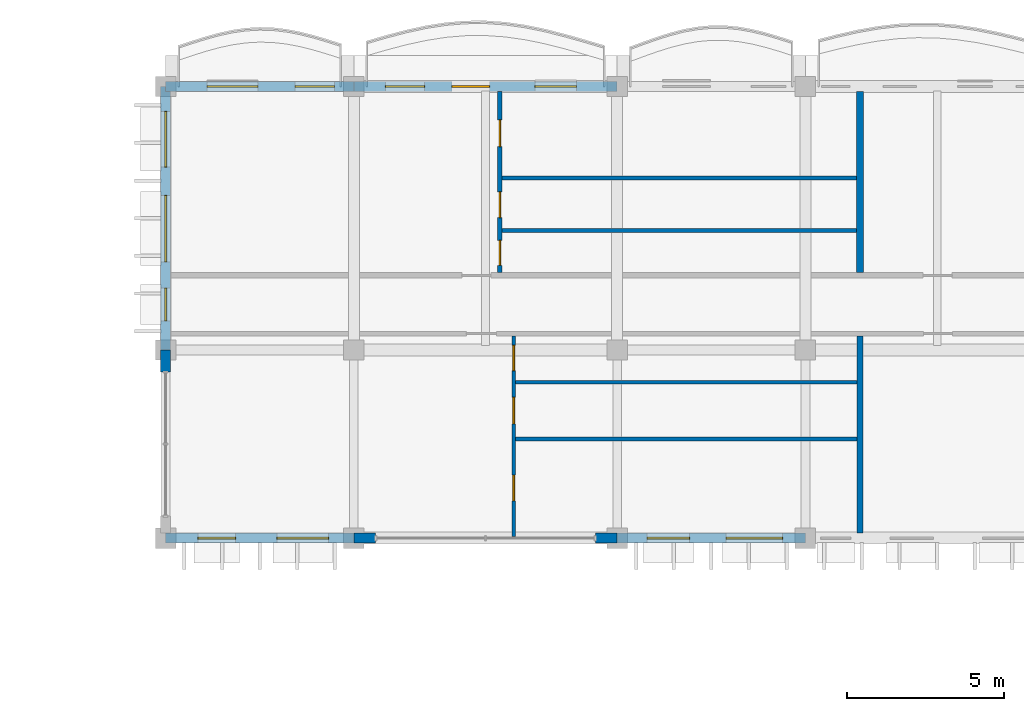
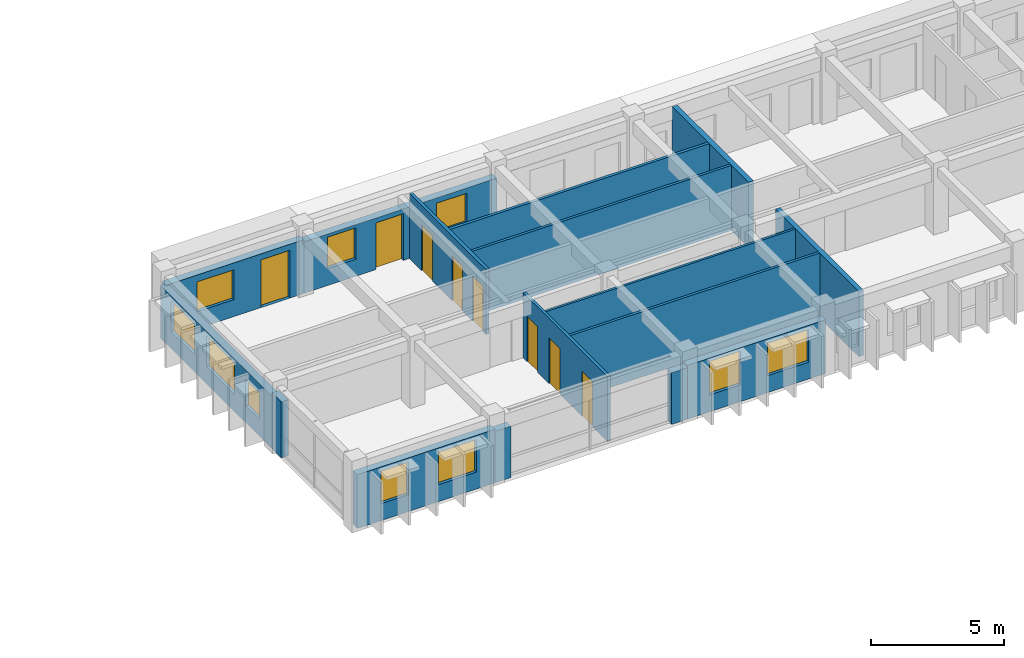
# One storey, part 35 of 76: 16 walls, 10 windows, 8 doors, 18 openings.
"""IFC4 building model written with IfcOpenShell, lengths in metres."""

from ifc_helpers import new_model, si_unit, direction, frame, frame_2d, origin, place, context, subcontext, project, spatial, rectangle, extrude, material, layer, layer_set, type_object, element, fill, save


model = new_model("IFC4")

# Units and contexts
model_context = context("Model", 3, precision=1e-05, world=origin(), true_north=direction((0.0, 1.0)))
body_context = subcontext(model_context, "Body", "Model", "MODEL_VIEW")
ifc_project = project(units=[si_unit("LENGTHUNIT", "METRE"), si_unit("AREAUNIT", "SQUARE_METRE"), si_unit("VOLUMEUNIT", "CUBIC_METRE"), si_unit("PLANEANGLEUNIT", "RADIAN"), si_unit("MASSUNIT", "GRAM", prefix="KILO"), si_unit("THERMODYNAMICTEMPERATUREUNIT", "KELVIN")], contexts=[model_context])

# Site, building, storey
site_placement = place(None, origin())
site = spatial("IfcSite", under=ifc_project, at=site_placement, CompositionType="ELEMENT")
building_placement = place(site_placement, origin())
building = spatial("IfcBuilding", under=site, at=building_placement, Name="Thalorik Housing Commons", CompositionType="ELEMENT")
storey_placement = place(building_placement, frame((0.0, 0.0, 18.0)))
storey = spatial("IfcBuildingStorey", under=building, at=storey_placement, Name="L05", CompositionType="ELEMENT", Elevation=18.0)

# Wall, openings, door, windows
ifc_material_1 = material(Name="White precast concrete C40/50", Category="concrete")
ifc_layer_1 = layer(ifc_material_1, 0.320068359375, Name="White precast concrete C40/50", Category="concrete")
ifc_layer_set_1 = layer_set([ifc_layer_1], Name="White precast concrete C40/50")
wall_type_1 = type_object("IfcWallType", Name="ARC-WAL-EXT-320", PredefinedType="STANDARD", material=ifc_layer_set_1)
wall_1_placement = place(storey_placement, frame((94.800048828125, 123.60009765625, 0.0), z_axis=(0.0, 0.0, 1.0), x_axis=(-1.0, 0.0, 0.0)))
wall_1 = element("IfcWall", 1, at=wall_1_placement, inside=storey, type_object=wall_type_1, Name="L05 Exterior Wall WAL-EXT-L05-B-0572", PredefinedType="STANDARD", context=body_context, shape_type="SweptSolid", body=[
    extrude(rectangle(XDim=8.400146484375, YDim=0.320068359375, at=frame_2d((4.2001953125, 0.0))), origin(), (0.0, 0.0, 1.0), 2.375),
])
opening_1_placement = place(wall_1_placement, frame((4.071533203125, 0.0, 0.0)))
opening_1 = element("IfcOpeningElement", 2, at=opening_1_placement, cuts=wall_1, Name="Opening ED-0185", PredefinedType="OPENING", context=body_context, shape_type="SweptSolid", body=[
    extrude(rectangle(XDim=1.199951171875, YDim=2.14990234375, at=frame_2d((0.60009765625, 1.074951171875))), frame((0.0, 0.169921875, 0.0), z_axis=(0.0, -1.0, 0.0), x_axis=(1.0, 0.0, 0.0)), (0.0, 0.0, 1.0), 0.340087890625),
])
opening_2_placement = place(wall_1_placement, frame((1.305908203125, 0.0, 0.780029296875)))
opening_2 = element("IfcOpeningElement", 3, at=opening_2_placement, cuts=wall_1, Name="Opening W-48", PredefinedType="OPENING", context=body_context, shape_type="SweptSolid", body=[
    extrude(rectangle(XDim=1.320068359375, YDim=1.35009765625, at=frame_2d((0.66015625, 0.675048828125))), frame((0.0, 0.169921875, 0.0), z_axis=(0.0, -1.0, 0.0), x_axis=(1.0, 0.0, 0.0)), (0.0, 0.0, 1.0), 0.340087890625),
])
opening_3_placement = place(wall_1_placement, frame((6.140869140625, 0.0, 0.780029296875)))
opening_3 = element("IfcOpeningElement", 4, at=opening_3_placement, cuts=wall_1, Name="Opening W-47", PredefinedType="OPENING", context=body_context, shape_type="SweptSolid", body=[
    extrude(rectangle(XDim=1.25, YDim=1.449951171875, at=frame_2d((0.625, 0.72509765625))), frame((0.0, 0.169921875, 0.0), z_axis=(0.0, -1.0, 0.0), x_axis=(1.0, 0.0, 0.0)), (0.0, 0.0, 1.0), 0.340087890625),
])
ifc_material_2 = material(Name="Anodised aluminium and laminated safety glass", Category="aluminium")
door_type_1 = type_object("IfcDoorType", Name="ARC-DR-BAL-1200", OperationType="NOTDEFINED", PredefinedType="DOOR", material=ifc_material_2)
door_1_placement = place(opening_1_placement, frame((1.199951171875, 0.0, 0.0), z_axis=(0.0, 0.0, 1.0), x_axis=(-1.0, 0.0, 0.0)))
door_1 = element("IfcDoor", 5, at=door_1_placement, inside=storey, type_object=door_type_1, Name="L05 Block B Balcony Glazed Door", OperationType="SINGLE_SWING_RIGHT", OverallHeight=2.14990234375, OverallWidth=1.199951171875, PredefinedType="DOOR", context=body_context, shape_type="SweptSolid", body=[
    extrude(rectangle(XDim=1.199951171875, YDim=2.14990234375, at=frame_2d((0.60009765625, 1.074951171875))), frame((0.0, 0.02490234375, 0.0), z_axis=(0.0, -1.0, 0.0), x_axis=(1.0, 0.0, 0.0)), (0.0, 0.0, 1.0), 0.050048828125),
])
fill(opening_1, door_1)
ifc_material_3 = material(Name="Anodised aluminium and solar-control low-E glass", Category="aluminium")
window_type_1 = type_object("IfcWindowType", Name="ARC-WIN-47", PartitioningType="SINGLE_PANEL", PredefinedType="WINDOW", material=ifc_material_3)
window_1_placement = place(opening_3_placement, origin())
window_1 = element("IfcWindow", 6, at=window_1_placement, inside=storey, type_object=window_type_1, Name="L05 Facade Window 1038", OverallHeight=1.449951171875, OverallWidth=1.25, PartitioningType="SINGLE_PANEL", PredefinedType="WINDOW", context=body_context, shape_type="SweptSolid", body=[
    extrude(rectangle(XDim=1.25, YDim=1.449951171875, at=frame_2d((0.625, 0.72509765625))), frame((0.0, 0.030029296875, 0.0), z_axis=(0.0, -1.0, 0.0), x_axis=(1.0, 0.0, 0.0)), (0.0, 0.0, 1.0), 0.06005859375),
])
fill(opening_3, window_1)
window_type_2 = type_object("IfcWindowType", Name="ARC-WIN-48", PartitioningType="SINGLE_PANEL", PredefinedType="WINDOW", material=ifc_material_3)
window_2_placement = place(opening_2_placement, origin())
window_2 = element("IfcWindow", 7, at=window_2_placement, inside=storey, type_object=window_type_2, Name="L05 Facade Window 1037", OverallHeight=1.35009765625, OverallWidth=1.320068359375, PartitioningType="SINGLE_PANEL", PredefinedType="WINDOW", context=body_context, shape_type="SweptSolid", body=[
    extrude(rectangle(XDim=1.320068359375, YDim=1.35009765625, at=frame_2d((0.66015625, 0.675048828125))), frame((0.0, 0.030029296875, 0.0), z_axis=(0.0, -1.0, 0.0), x_axis=(1.0, 0.0, 0.0)), (0.0, 0.0, 1.0), 0.06005859375),
])
fill(opening_2, window_2)

# Wall, openings, door, window
wall_2_placement = place(storey_placement, frame((86.39990234375, 123.60009765625, 0.0), z_axis=(0.0, 0.0, 1.0), x_axis=(-1.0, 0.0, 0.0)))
wall_2 = element("IfcWall", 8, at=wall_2_placement, inside=storey, type_object=wall_type_1, Name="L05 Exterior Wall WAL-EXT-L05-B-0573", PredefinedType="STANDARD", context=body_context, shape_type="SweptSolid", body=[
    extrude(rectangle(XDim=6.0, YDim=0.320068359375, at=frame_2d((3.0, 0.0))), origin(), (0.0, 0.0, 1.0), 2.47509765625),
])
opening_4_placement = place(wall_2_placement, frame((0.6201171875, 0.0, 0.0)))
opening_4 = element("IfcOpeningElement", 9, at=opening_4_placement, cuts=wall_2, Name="Opening ED-0186", PredefinedType="OPENING", context=body_context, shape_type="SweptSolid", body=[
    extrude(rectangle(XDim=1.25, YDim=2.199951171875, at=frame_2d((0.625, 1.10009765625))), frame((0.0, 0.169921875, 0.0), z_axis=(0.0, -1.0, 0.0), x_axis=(1.0, 0.0, 0.0)), (0.0, 0.0, 1.0), 0.340087890625),
])
opening_5_placement = place(wall_2_placement, frame((3.054931640625, 0.0, 0.780029296875)))
opening_5 = element("IfcOpeningElement", 10, at=opening_5_placement, cuts=wall_2, Name="Opening W-54", PredefinedType="OPENING", context=body_context, shape_type="SweptSolid", body=[
    extrude(rectangle(XDim=1.6201171875, YDim=1.3798828125, at=frame_2d((0.81005859375, 0.68994140625))), frame((0.0, 0.169921875, 0.0), z_axis=(0.0, -1.0, 0.0), x_axis=(1.0, 0.0, 0.0)), (0.0, 0.0, 1.0), 0.340087890625),
])
door_type_2 = type_object("IfcDoorType", Name="ARC-DR-BAL-1250", OperationType="NOTDEFINED", PredefinedType="DOOR", material=ifc_material_2)
door_2_placement = place(opening_4_placement, frame((1.25, 0.0, 0.0), z_axis=(0.0, 0.0, 1.0), x_axis=(-1.0, 0.0, 0.0)))
door_2 = element("IfcDoor", 11, at=door_2_placement, inside=storey, type_object=door_type_2, Name="L05 Block B Balcony Glazed Door", OperationType="SINGLE_SWING_LEFT", OverallHeight=2.199951171875, OverallWidth=1.25, PredefinedType="DOOR", context=body_context, shape_type="SweptSolid", body=[
    extrude(rectangle(XDim=1.25, YDim=2.199951171875, at=frame_2d((0.625, 1.10009765625))), frame((0.0, 0.02490234375, 0.0), z_axis=(0.0, -1.0, 0.0), x_axis=(1.0, 0.0, 0.0)), (0.0, 0.0, 1.0), 0.050048828125),
])
fill(opening_4, door_2)
window_type_3 = type_object("IfcWindowType", Name="ARC-WIN-54", PartitioningType="DOUBLE_PANEL_VERTICAL", PredefinedType="WINDOW", material=ifc_material_3)
window_3_placement = place(opening_5_placement, origin())
window_3 = element("IfcWindow", 12, at=window_3_placement, inside=storey, type_object=window_type_3, Name="L05 Facade Window 1039", OverallHeight=1.3798828125, OverallWidth=1.6201171875, PartitioningType="DOUBLE_PANEL_VERTICAL", PredefinedType="WINDOW", context=body_context, shape_type="SweptSolid", body=[
    extrude(rectangle(XDim=1.6201171875, YDim=1.3798828125, at=frame_2d((0.81005859375, 0.68994140625))), frame((0.0, 0.030029296875, 0.0), z_axis=(0.0, -1.0, 0.0), x_axis=(1.0, 0.0, 0.0)), (0.0, 0.0, 1.0), 0.06005859375),
])
fill(opening_5, window_3)

# Wall, openings, windows
wall_3_placement = place(storey_placement, frame((80.39990234375, 123.60009765625, 0.0), z_axis=(0.0, 0.0, 1.0), x_axis=(0.0, -1.0, 0.0)))
wall_3 = element("IfcWall", 13, at=wall_3_placement, inside=storey, type_object=wall_type_1, Name="L05 Exterior Wall WAL-EXT-L05-B-0574", PredefinedType="STANDARD", context=body_context, shape_type="SweptSolid", body=[
    extrude(rectangle(XDim=8.400146484375, YDim=0.320068359375, at=frame_2d((4.2001953125, 0.0))), origin(), (0.0, 0.0, 1.0), 2.425048828125),
])
opening_6_placement = place(wall_3_placement, frame((0.79248046875, 0.0, 0.780029296875)))
opening_6 = element("IfcOpeningElement", 14, at=opening_6_placement, cuts=wall_3, Name="Opening W-57", PredefinedType="OPENING", context=body_context, shape_type="SweptSolid", body=[
    extrude(rectangle(XDim=1.780029296875, YDim=1.419921875, at=frame_2d((0.89013671875, 0.7099609375))), frame((0.0, 0.169921875, 0.0), z_axis=(0.0, -1.0, 0.0), x_axis=(1.0, 0.0, 0.0)), (0.0, 0.0, 1.0), 0.340087890625),
])
opening_7_placement = place(wall_3_placement, frame((3.467529296875, 0.0, 0.780029296875)))
opening_7 = element("IfcOpeningElement", 15, at=opening_7_placement, cuts=wall_3, Name="Opening W-64", PredefinedType="OPENING", context=body_context, shape_type="SweptSolid", body=[
    extrude(rectangle(XDim=2.1201171875, YDim=1.43994140625, at=frame_2d((1.06005859375, 0.719970703125))), frame((0.0, 0.169921875, 0.0), z_axis=(0.0, -1.0, 0.0), x_axis=(1.0, 0.0, 0.0)), (0.0, 0.0, 1.0), 0.340087890625),
])
opening_8_placement = place(wall_3_placement, frame((6.425048828125, 0.0, 0.780029296875)))
opening_8 = element("IfcOpeningElement", 16, at=opening_8_placement, cuts=wall_3, Name="Opening W-44", PredefinedType="OPENING", context=body_context, shape_type="SweptSolid", body=[
    extrude(rectangle(XDim=1.050048828125, YDim=1.199951171875, at=frame_2d((0.52490234375, 0.60009765625))), frame((0.0, 0.169921875, 0.0), z_axis=(0.0, -1.0, 0.0), x_axis=(1.0, 0.0, 0.0)), (0.0, 0.0, 1.0), 0.340087890625),
])
window_type_4 = type_object("IfcWindowType", Name="ARC-WIN-44", PartitioningType="SINGLE_PANEL", PredefinedType="WINDOW", material=ifc_material_3)
window_4_placement = place(opening_8_placement, origin())
window_4 = element("IfcWindow", 17, at=window_4_placement, inside=storey, type_object=window_type_4, Name="L05 Facade Window 1042", OverallHeight=1.199951171875, OverallWidth=1.050048828125, PartitioningType="SINGLE_PANEL", PredefinedType="WINDOW", context=body_context, shape_type="SweptSolid", body=[
    extrude(rectangle(XDim=1.050048828125, YDim=1.199951171875, at=frame_2d((0.52490234375, 0.60009765625))), frame((0.0, 0.030029296875, 0.0), z_axis=(0.0, -1.0, 0.0), x_axis=(1.0, 0.0, 0.0)), (0.0, 0.0, 1.0), 0.06005859375),
])
fill(opening_8, window_4)
window_type_5 = type_object("IfcWindowType", Name="ARC-WIN-57", PartitioningType="DOUBLE_PANEL_VERTICAL", PredefinedType="WINDOW", material=ifc_material_3)
window_5_placement = place(opening_6_placement, origin())
window_5 = element("IfcWindow", 18, at=window_5_placement, inside=storey, type_object=window_type_5, Name="L05 Facade Window 1040", OverallHeight=1.419921875, OverallWidth=1.780029296875, PartitioningType="DOUBLE_PANEL_VERTICAL", PredefinedType="WINDOW", context=body_context, shape_type="SweptSolid", body=[
    extrude(rectangle(XDim=1.780029296875, YDim=1.419921875, at=frame_2d((0.89013671875, 0.7099609375))), frame((0.0, 0.030029296875, 0.0), z_axis=(0.0, -1.0, 0.0), x_axis=(1.0, 0.0, 0.0)), (0.0, 0.0, 1.0), 0.06005859375),
])
fill(opening_6, window_5)
window_type_6 = type_object("IfcWindowType", Name="ARC-WIN-64", PartitioningType="DOUBLE_PANEL_VERTICAL", PredefinedType="WINDOW", material=ifc_material_3)
window_6_placement = place(opening_7_placement, origin())
window_6 = element("IfcWindow", 19, at=window_6_placement, inside=storey, type_object=window_type_6, Name="L05 Facade Window 1041", OverallHeight=1.43994140625, OverallWidth=2.1201171875, PartitioningType="DOUBLE_PANEL_VERTICAL", PredefinedType="WINDOW", context=body_context, shape_type="SweptSolid", body=[
    extrude(rectangle(XDim=2.1201171875, YDim=1.43994140625, at=frame_2d((1.06005859375, 0.719970703125))), frame((0.0, 0.030029296875, 0.0), z_axis=(0.0, -1.0, 0.0), x_axis=(1.0, 0.0, 0.0)), (0.0, 0.0, 1.0), 0.06005859375),
])
fill(opening_7, window_6)

# Wall
wall_4_placement = place(storey_placement, frame((80.39990234375, 115.199951171875, 0.0), z_axis=(0.0, 0.0, 1.0), x_axis=(0.0, -1.0, 0.0)))
element("IfcWall", 20, at=wall_4_placement, inside=storey, type_object=wall_type_1, Name="L05 Exterior Wall WAL-PIERL-L05-B-0575", PredefinedType="STANDARD", context=body_context, shape_type="SweptSolid", body=[
    extrude(rectangle(XDim=0.699951171875, YDim=0.320068359375, at=frame_2d((0.35009765625, 0.0))), origin(), (0.0, 0.0, 1.0), 2.574951171875),
])

# Wall, openings, windows
wall_5_placement = place(storey_placement, frame((80.39990234375, 109.199951171875, 0.0), z_axis=(0.0, 0.0, 1.0), x_axis=(1.0, 0.0, 0.0)))
wall_5 = element("IfcWall", 21, at=wall_5_placement, inside=storey, type_object=wall_type_1, Name="L05 Exterior Wall WAL-EXT-L05-B-0576", PredefinedType="STANDARD", context=body_context, shape_type="SweptSolid", body=[
    extrude(rectangle(XDim=6.0, YDim=0.320068359375, at=frame_2d((3.0, 0.0))), origin(), (0.0, 0.0, 1.0), 2.47509765625),
])
opening_9_placement = place(wall_5_placement, frame((1.030029296875, 0.0, 0.780029296875)))
opening_9 = element("IfcOpeningElement", 22, at=opening_9_placement, cuts=wall_5, Name="Opening W-05", PredefinedType="OPENING", context=body_context, shape_type="SweptSolid", body=[
    extrude(rectangle(XDim=1.199951171875, YDim=1.5, at=frame_2d((0.60009765625, 0.75))), frame((0.0, 0.169921875, 0.0), z_axis=(0.0, -1.0, 0.0), x_axis=(1.0, 0.0, 0.0)), (0.0, 0.0, 1.0), 0.340087890625),
])
opening_10_placement = place(wall_5_placement, frame((3.544921875, 0.0, 0.780029296875)))
opening_10 = element("IfcOpeningElement", 23, at=opening_10_placement, cuts=wall_5, Name="Opening W-15", PredefinedType="OPENING", context=body_context, shape_type="SweptSolid", body=[
    extrude(rectangle(XDim=1.64990234375, YDim=1.5, at=frame_2d((0.824951171875, 0.75))), frame((0.0, 0.169921875, 0.0), z_axis=(0.0, -1.0, 0.0), x_axis=(1.0, 0.0, 0.0)), (0.0, 0.0, 1.0), 0.340087890625),
])
window_type_7 = type_object("IfcWindowType", Name="ARC-WIN-05", PartitioningType="SINGLE_PANEL", PredefinedType="WINDOW", material=ifc_material_3)
window_7_placement = place(opening_9_placement, origin())
window_7 = element("IfcWindow", 24, at=window_7_placement, inside=storey, type_object=window_type_7, Name="L05 Facade Window 1043", OverallHeight=1.5, OverallWidth=1.199951171875, PartitioningType="SINGLE_PANEL", PredefinedType="WINDOW", context=body_context, shape_type="SweptSolid", body=[
    extrude(rectangle(XDim=1.199951171875, YDim=1.5, at=frame_2d((0.60009765625, 0.75))), frame((0.0, 0.030029296875, 0.0), z_axis=(0.0, -1.0, 0.0), x_axis=(1.0, 0.0, 0.0)), (0.0, 0.0, 1.0), 0.06005859375),
])
fill(opening_9, window_7)
window_type_8 = type_object("IfcWindowType", Name="ARC-WIN-15", PartitioningType="DOUBLE_PANEL_VERTICAL", PredefinedType="WINDOW", material=ifc_material_3)
window_8_placement = place(opening_10_placement, origin())
window_8 = element("IfcWindow", 25, at=window_8_placement, inside=storey, type_object=window_type_8, Name="L05 Facade Window 1044", OverallHeight=1.5, OverallWidth=1.64990234375, PartitioningType="DOUBLE_PANEL_VERTICAL", PredefinedType="WINDOW", context=body_context, shape_type="SweptSolid", body=[
    extrude(rectangle(XDim=1.64990234375, YDim=1.5, at=frame_2d((0.824951171875, 0.75))), frame((0.0, 0.030029296875, 0.0), z_axis=(0.0, -1.0, 0.0), x_axis=(1.0, 0.0, 0.0)), (0.0, 0.0, 1.0), 0.06005859375),
])
fill(opening_10, window_8)

# Walls
wall_6_placement = place(storey_placement, frame((86.39990234375, 109.199951171875, 0.0), z_axis=(0.0, 0.0, 1.0), x_axis=(1.0, 0.0, 0.0)))
element("IfcWall", 26, at=wall_6_placement, inside=storey, type_object=wall_type_1, Name="L05 Exterior Wall WAL-PIERL-L05-B-0577", PredefinedType="STANDARD", context=body_context, shape_type="SweptSolid", body=[
    extrude(rectangle(XDim=0.7001953125, YDim=0.320068359375, at=frame_2d((0.35009765625, 0.0))), origin(), (0.0, 0.0, 1.0), 2.375),
])
wall_7_placement = place(storey_placement, frame((94.10009765625, 109.199951171875, 0.0), z_axis=(0.0, 0.0, 1.0), x_axis=(1.0, 0.0, 0.0)))
element("IfcWall", 27, at=wall_7_placement, inside=storey, type_object=wall_type_1, Name="L05 Exterior Wall WAL-PIERR-L05-B-0577", PredefinedType="STANDARD", context=body_context, shape_type="SweptSolid", body=[
    extrude(rectangle(XDim=0.699951171875, YDim=0.320068359375, at=frame_2d((0.35009765625, 0.0))), origin(), (0.0, 0.0, 1.0), 2.375),
])

# Wall, openings, windows
wall_8_placement = place(storey_placement, frame((94.800048828125, 109.199951171875, 0.0), z_axis=(0.0, 0.0, 1.0), x_axis=(1.0, 0.0, 0.0)))
wall_8 = element("IfcWall", 28, at=wall_8_placement, inside=storey, type_object=wall_type_1, Name="L05 Exterior Wall WAL-EXT-L05-B-0578", PredefinedType="STANDARD", context=body_context, shape_type="SweptSolid", body=[
    extrude(rectangle(XDim=6.0, YDim=0.320068359375, at=frame_2d((3.0, 0.0))), origin(), (0.0, 0.0, 1.0), 2.47509765625),
])
opening_11_placement = place(wall_8_placement, frame((0.955078125, 0.0, 0.780029296875)))
opening_11 = element("IfcOpeningElement", 29, at=opening_11_placement, cuts=wall_8, Name="Opening W-07", PredefinedType="OPENING", context=body_context, shape_type="SweptSolid", body=[
    extrude(rectangle(XDim=1.35009765625, YDim=1.550048828125, at=frame_2d((0.675048828125, 0.77490234375))), frame((0.0, 0.169921875, 0.0), z_axis=(0.0, -1.0, 0.0), x_axis=(1.0, 0.0, 0.0)), (0.0, 0.0, 1.0), 0.340087890625),
])
opening_12_placement = place(wall_8_placement, frame((3.469970703125, 0.0, 0.780029296875)))
opening_12 = element("IfcOpeningElement", 30, at=opening_12_placement, cuts=wall_8, Name="Opening W-18", PredefinedType="OPENING", context=body_context, shape_type="SweptSolid", body=[
    extrude(rectangle(XDim=1.800048828125, YDim=1.5, at=frame_2d((0.89990234375, 0.75))), frame((0.0, 0.169921875, 0.0), z_axis=(0.0, -1.0, 0.0), x_axis=(1.0, 0.0, 0.0)), (0.0, 0.0, 1.0), 0.340087890625),
])
window_type_9 = type_object("IfcWindowType", Name="ARC-WIN-07", PartitioningType="SINGLE_PANEL", PredefinedType="WINDOW", material=ifc_material_3)
window_9_placement = place(opening_11_placement, origin())
window_9 = element("IfcWindow", 31, at=window_9_placement, inside=storey, type_object=window_type_9, Name="L05 Facade Window 1045", OverallHeight=1.550048828125, OverallWidth=1.35009765625, PartitioningType="SINGLE_PANEL", PredefinedType="WINDOW", context=body_context, shape_type="SweptSolid", body=[
    extrude(rectangle(XDim=1.35009765625, YDim=1.550048828125, at=frame_2d((0.675048828125, 0.77490234375))), frame((0.0, 0.030029296875, 0.0), z_axis=(0.0, -1.0, 0.0), x_axis=(1.0, 0.0, 0.0)), (0.0, 0.0, 1.0), 0.06005859375),
])
fill(opening_11, window_9)
window_type_10 = type_object("IfcWindowType", Name="ARC-WIN-18", PartitioningType="DOUBLE_PANEL_VERTICAL", PredefinedType="WINDOW", material=ifc_material_3)
window_10_placement = place(opening_12_placement, origin())
window_10 = element("IfcWindow", 32, at=window_10_placement, inside=storey, type_object=window_type_10, Name="L05 Facade Window 1046", OverallHeight=1.5, OverallWidth=1.800048828125, PartitioningType="DOUBLE_PANEL_VERTICAL", PredefinedType="WINDOW", context=body_context, shape_type="SweptSolid", body=[
    extrude(rectangle(XDim=1.800048828125, YDim=1.5, at=frame_2d((0.89990234375, 0.75))), frame((0.0, 0.030029296875, 0.0), z_axis=(0.0, -1.0, 0.0), x_axis=(1.0, 0.0, 0.0)), (0.0, 0.0, 1.0), 0.06005859375),
])
fill(opening_12, window_10)

# Walls
ifc_material_4 = material(Name="Gypsum light stud partition", Category="masonry")
ifc_layer_2 = layer(ifc_material_4, 0.10009765625, Name="Gypsum light stud partition", Category="masonry")
ifc_layer_set_2 = layer_set([ifc_layer_2], Name="Gypsum light stud partition")
wall_type_2 = type_object("IfcWallType", Name="ARC-WAL-PART-100", PredefinedType="PARTITIONING", material=ifc_layer_set_2)
wall_9_placement = place(storey_placement, frame((91.564453125, 114.169677734375, 0.0), z_axis=(0.0, 0.0, 1.0), x_axis=(1.0, 0.0, 0.0)))
element("IfcWall", 33, at=wall_9_placement, inside=storey, type_object=wall_type_2, Name="L05 Unit 1 Wet Wall", PredefinedType="PARTITIONING", context=body_context, shape_type="SweptSolid", body=[
    extrude(rectangle(XDim=10.87353515625, YDim=0.10009765625, at=frame_2d((5.436767578125, 0.0))), origin(), (0.0, 0.0, 1.0), 3.0),
])
ifc_material_5 = material(Name="Gypsum moisture-resistant partition", Category="masonry")
ifc_layer_3 = layer(ifc_material_5, 0.114990234375, Name="Gypsum moisture-resistant partition", Category="masonry")
ifc_layer_set_3 = layer_set([ifc_layer_3], Name="Gypsum moisture-resistant partition")
wall_type_3 = type_object("IfcWallType", Name="ARC-WAL-PART-115", PredefinedType="PARTITIONING", material=ifc_layer_set_3)
wall_10_placement = place(storey_placement, frame((91.564453125, 112.36083984375, 0.0), z_axis=(0.0, 0.0, 1.0), x_axis=(1.0, 0.0, 0.0)))
element("IfcWall", 34, at=wall_10_placement, inside=storey, type_object=wall_type_3, Name="L05 Unit 1 Bedroom Partition", PredefinedType="PARTITIONING", context=body_context, shape_type="SweptSolid", body=[
    extrude(rectangle(XDim=10.87353515625, YDim=0.114990234375, at=frame_2d((5.436767578125, 0.0))), origin(), (0.0, 0.0, 1.0), 3.0),
])
wall_11_placement = place(storey_placement, frame((91.13037109375, 119.010498046875, 0.0), z_axis=(0.0, 0.0, 1.0), x_axis=(1.0, 0.0, 0.0)))
element("IfcWall", 35, at=wall_11_placement, inside=storey, type_object=wall_type_3, Name="L05 Unit 1B Wet Wall", PredefinedType="PARTITIONING", context=body_context, shape_type="SweptSolid", body=[
    extrude(rectangle(XDim=11.297607421875, YDim=0.114990234375, at=frame_2d((5.64892578125, 0.0))), origin(), (0.0, 0.0, 1.0), 3.0),
])

# Wall, openings, doors
ifc_material_6 = material(Name="Gypsum acoustic stud partition", Category="masonry")
ifc_layer_4 = layer(ifc_material_6, 0.125, Name="Gypsum acoustic stud partition", Category="masonry")
ifc_layer_set_4 = layer_set([ifc_layer_4], Name="Gypsum acoustic stud partition")
wall_type_4 = type_object("IfcWallType", Name="ARC-WAL-PART-125", PredefinedType="PARTITIONING", material=ifc_layer_set_4)
wall_12_placement = place(storey_placement, frame((91.5, 109.260009765625, 0.0), z_axis=(0.0, 0.0, 1.0), x_axis=(0.0, 1.0, 0.0)))
wall_12 = element("IfcWall", 36, at=wall_12_placement, inside=storey, type_object=wall_type_4, Name="L05 Unit 1 Spine Partition", PredefinedType="PARTITIONING", context=body_context, shape_type="SweptSolid", body=[
    extrude(rectangle(XDim=6.383056640625, YDim=0.125, at=frame_2d((3.19140625, 0.0))), origin(), (0.0, 0.0, 1.0), 3.0),
])
opening_13_placement = place(wall_12_placement, frame((1.12548828125, 0.0, 0.0)))
opening_13 = element("IfcOpeningElement", 37, at=opening_13_placement, cuts=wall_12, Name="Opening ID-1172", PredefinedType="OPENING", context=body_context, shape_type="SweptSolid", body=[
    extrude(rectangle(XDim=0.820068359375, YDim=2.080078125, at=frame_2d((0.41015625, 1.0400390625))), frame((0.0, 0.072509765625, 0.0), z_axis=(0.0, -1.0, 0.0), x_axis=(1.0, 0.0, 0.0)), (0.0, 0.0, 1.0), 0.14501953125),
])
opening_14_placement = place(wall_12_placement, frame((3.580078125, 0.0, 0.0)))
opening_14 = element("IfcOpeningElement", 38, at=opening_14_placement, cuts=wall_12, Name="Opening ID-1173", PredefinedType="OPENING", context=body_context, shape_type="SweptSolid", body=[
    extrude(rectangle(XDim=0.85009765625, YDim=2.10009765625, at=frame_2d((0.425048828125, 1.050048828125))), frame((0.0, 0.072509765625, 0.0), z_axis=(0.0, -1.0, 0.0), x_axis=(1.0, 0.0, 0.0)), (0.0, 0.0, 1.0), 0.14501953125),
])
opening_15_placement = place(wall_12_placement, frame((5.284912109375, 0.0, 0.0)))
opening_15 = element("IfcOpeningElement", 39, at=opening_15_placement, cuts=wall_12, Name="Opening ID-1174", PredefinedType="OPENING", context=body_context, shape_type="SweptSolid", body=[
    extrude(rectangle(XDim=0.800048828125, YDim=2.10009765625, at=frame_2d((0.39990234375, 1.050048828125))), frame((0.0, 0.072509765625, 0.0), z_axis=(0.0, -1.0, 0.0), x_axis=(1.0, 0.0, 0.0)), (0.0, 0.0, 1.0), 0.14501953125),
])
ifc_material_7 = material(Name="Moisture-resistant timber", Category="wood")
door_type_3 = type_object("IfcDoorType", Name="ARC-DR-INT-800", OperationType="NOTDEFINED", PredefinedType="DOOR", material=ifc_material_7)
door_3_placement = place(opening_15_placement, origin())
door_3 = element("IfcDoor", 40, at=door_3_placement, inside=storey, type_object=door_type_3, Name="L05 Flat Bathroom Door", OperationType="SINGLE_SWING_LEFT", OverallHeight=2.10009765625, OverallWidth=0.800048828125, PredefinedType="DOOR", context=body_context, shape_type="SweptSolid", body=[
    extrude(rectangle(XDim=0.800048828125, YDim=2.10009765625, at=frame_2d((0.39990234375, 1.050048828125))), frame((0.0, 0.02490234375, 0.0), z_axis=(0.0, -1.0, 0.0), x_axis=(1.0, 0.0, 0.0)), (0.0, 0.0, 1.0), 0.050048828125),
])
fill(opening_15, door_3)
ifc_material_8 = material(Name="Engineered oak timber", Category="wood")
door_type_4 = type_object("IfcDoorType", Name="ARC-DR-INT-820", OperationType="NOTDEFINED", PredefinedType="DOOR", material=ifc_material_8)
door_4_placement = place(opening_13_placement, origin())
door_4 = element("IfcDoor", 41, at=door_4_placement, inside=storey, type_object=door_type_4, Name="L05 Master Bedroom Door", OperationType="SINGLE_SWING_LEFT", OverallHeight=2.080078125, OverallWidth=0.820068359375, PredefinedType="DOOR", context=body_context, shape_type="SweptSolid", body=[
    extrude(rectangle(XDim=0.820068359375, YDim=2.080078125, at=frame_2d((0.41015625, 1.0400390625))), frame((0.0, 0.02490234375, 0.0), z_axis=(0.0, -1.0, 0.0), x_axis=(1.0, 0.0, 0.0)), (0.0, 0.0, 1.0), 0.050048828125),
])
fill(opening_13, door_4)
door_type_5 = type_object("IfcDoorType", Name="ARC-DR-INT-850", OperationType="NOTDEFINED", PredefinedType="DOOR", material=ifc_material_8)
door_5_placement = place(opening_14_placement, origin())
door_5 = element("IfcDoor", 42, at=door_5_placement, inside=storey, type_object=door_type_5, Name="L05 Eat-In Kitchen Door", OperationType="SINGLE_SWING_RIGHT", OverallHeight=2.10009765625, OverallWidth=0.85009765625, PredefinedType="DOOR", context=body_context, shape_type="SweptSolid", body=[
    extrude(rectangle(XDim=0.85009765625, YDim=2.10009765625, at=frame_2d((0.425048828125, 1.050048828125))), frame((0.0, 0.02490234375, 0.0), z_axis=(0.0, -1.0, 0.0), x_axis=(1.0, 0.0, 0.0)), (0.0, 0.0, 1.0), 0.050048828125),
])
fill(opening_14, door_5)

# Wall
wall_13_placement = place(storey_placement, frame((91.13037109375, 120.67919921875, 0.0), z_axis=(0.0, 0.0, 1.0), x_axis=(1.0, 0.0, 0.0)))
element("IfcWall", 43, at=wall_13_placement, inside=storey, type_object=wall_type_4, Name="L05 Unit 1B Bedroom Partition", PredefinedType="PARTITIONING", context=body_context, shape_type="SweptSolid", body=[
    extrude(rectangle(XDim=11.297607421875, YDim=0.125, at=frame_2d((5.64892578125, 0.0))), origin(), (0.0, 0.0, 1.0), 3.0),
])

# Wall, openings, doors
ifc_material_9 = material(Name="Ceramic masonry partition wall", Category="masonry")
ifc_layer_5 = layer(ifc_material_9, 0.139892578125, Name="Ceramic masonry partition wall", Category="masonry")
ifc_layer_set_5 = layer_set([ifc_layer_5], Name="Ceramic masonry partition wall")
wall_type_5 = type_object("IfcWallType", Name="ARC-WAL-PART-140", PredefinedType="PARTITIONING", material=ifc_layer_set_5)
wall_14_placement = place(storey_placement, frame((91.058349609375, 117.66455078125, 0.0), z_axis=(0.0, 0.0, 1.0), x_axis=(0.0, 1.0, 0.0)))
wall_14 = element("IfcWall", 44, at=wall_14_placement, inside=storey, type_object=wall_type_5, Name="L05 Unit 1B Spine Partition", PredefinedType="PARTITIONING", context=body_context, shape_type="SweptSolid", body=[
    extrude(rectangle(XDim=5.7734375, YDim=0.139892578125, at=frame_2d((2.88671875, 0.0))), origin(), (0.0, 0.0, 1.0), 3.0),
])
opening_16_placement = place(wall_14_placement, frame((0.230712890625, 0.0, 0.0)))
opening_16 = element("IfcOpeningElement", 45, at=opening_16_placement, cuts=wall_14, Name="Opening ID-1175", PredefinedType="OPENING", context=body_context, shape_type="SweptSolid", body=[
    extrude(rectangle(XDim=0.800048828125, YDim=2.10009765625, at=frame_2d((0.39990234375, 1.050048828125))), frame((0.0, 0.080078125, 0.0), z_axis=(0.0, -1.0, 0.0), x_axis=(1.0, 0.0, 0.0)), (0.0, 0.0, 1.0), 0.159912109375),
])
opening_17_placement = place(wall_14_placement, frame((1.75537109375, 0.0, 0.0)))
opening_17 = element("IfcOpeningElement", 46, at=opening_17_placement, cuts=wall_14, Name="Opening ID-1176", PredefinedType="OPENING", context=body_context, shape_type="SweptSolid", body=[
    extrude(rectangle(XDim=0.820068359375, YDim=2.080078125, at=frame_2d((0.41015625, 1.0400390625))), frame((0.0, 0.080078125, 0.0), z_axis=(0.0, -1.0, 0.0), x_axis=(1.0, 0.0, 0.0)), (0.0, 0.0, 1.0), 0.159912109375),
])
opening_18_placement = place(wall_14_placement, frame((4.02001953125, 0.0, 0.0)))
opening_18 = element("IfcOpeningElement", 47, at=opening_18_placement, cuts=wall_14, Name="Opening ID-1177", PredefinedType="OPENING", context=body_context, shape_type="SweptSolid", body=[
    extrude(rectangle(XDim=0.85009765625, YDim=2.10009765625, at=frame_2d((0.425048828125, 1.050048828125))), frame((0.0, 0.080078125, 0.0), z_axis=(0.0, -1.0, 0.0), x_axis=(1.0, 0.0, 0.0)), (0.0, 0.0, 1.0), 0.159912109375),
])
door_6_placement = place(opening_16_placement, origin())
door_6 = element("IfcDoor", 48, at=door_6_placement, inside=storey, type_object=door_type_3, Name="L05 Flat Bathroom Door", OperationType="SINGLE_SWING_RIGHT", OverallHeight=2.10009765625, OverallWidth=0.800048828125, PredefinedType="DOOR", context=body_context, shape_type="SweptSolid", body=[
    extrude(rectangle(XDim=0.800048828125, YDim=2.10009765625, at=frame_2d((0.39990234375, 1.050048828125))), frame((0.0, 0.02490234375, 0.0), z_axis=(0.0, -1.0, 0.0), x_axis=(1.0, 0.0, 0.0)), (0.0, 0.0, 1.0), 0.050048828125),
])
fill(opening_16, door_6)
door_7_placement = place(opening_17_placement, origin())
door_7 = element("IfcDoor", 49, at=door_7_placement, inside=storey, type_object=door_type_4, Name="L05 Galley Kitchen Door", OperationType="SINGLE_SWING_LEFT", OverallHeight=2.080078125, OverallWidth=0.820068359375, PredefinedType="DOOR", context=body_context, shape_type="SweptSolid", body=[
    extrude(rectangle(XDim=0.820068359375, YDim=2.080078125, at=frame_2d((0.41015625, 1.0400390625))), frame((0.0, 0.02490234375, 0.0), z_axis=(0.0, -1.0, 0.0), x_axis=(1.0, 0.0, 0.0)), (0.0, 0.0, 1.0), 0.050048828125),
])
fill(opening_17, door_7)
door_8_placement = place(opening_18_placement, origin())
door_8 = element("IfcDoor", 50, at=door_8_placement, inside=storey, type_object=door_type_5, Name="L05 Master Bedroom Door", OperationType="SINGLE_SWING_RIGHT", OverallHeight=2.10009765625, OverallWidth=0.85009765625, PredefinedType="DOOR", context=body_context, shape_type="SweptSolid", body=[
    extrude(rectangle(XDim=0.85009765625, YDim=2.10009765625, at=frame_2d((0.425048828125, 1.050048828125))), frame((0.0, 0.02490234375, 0.0), z_axis=(0.0, -1.0, 0.0), x_axis=(1.0, 0.0, 0.0)), (0.0, 0.0, 1.0), 0.050048828125),
])
fill(opening_18, door_8)

# Walls
ifc_material_10 = material(Name="Precast concrete C40/50 acoustic wall", Category="concrete")
ifc_layer_6 = layer(ifc_material_10, 0.199951171875, Name="Precast concrete C40/50 acoustic wall", Category="concrete")
ifc_layer_set_6 = layer_set([ifc_layer_6], Name="Precast concrete C40/50 acoustic wall")
wall_type_6 = type_object("IfcWallType", Name="ARC-WAL-PARTY-200", PredefinedType="PARTITIONING", material=ifc_layer_set_6)
wall_15_placement = place(storey_placement, frame((102.5400390625, 109.362060546875, 0.0), z_axis=(0.0, 0.0, 1.0), x_axis=(0.0, 1.0, 0.0)))
element("IfcWall", 51, at=wall_15_placement, inside=storey, type_object=wall_type_6, Name="L05 Inter-Tenancy Wall 1A", PredefinedType="PARTITIONING", context=body_context, shape_type="SweptSolid", body=[
    extrude(rectangle(XDim=6.281005859375, YDim=0.199951171875, at=frame_2d((3.140625, 0.0))), origin(), (0.0, 0.0, 1.0), 3.0),
])
ifc_layer_7 = layer(ifc_material_10, 0.219970703125, Name="Precast concrete C40/50 acoustic wall", Category="concrete")
ifc_layer_set_7 = layer_set([ifc_layer_7], Name="Precast concrete C40/50 acoustic wall")
wall_type_7 = type_object("IfcWallType", Name="ARC-WAL-PARTY-220", PredefinedType="PARTITIONING", material=ifc_layer_set_7)
wall_16_placement = place(storey_placement, frame((102.5400390625, 117.66455078125, 0.0), z_axis=(0.0, 0.0, 1.0), x_axis=(0.0, 1.0, 0.0)))
element("IfcWall", 52, at=wall_16_placement, inside=storey, type_object=wall_type_7, Name="L05 Inter-Tenancy Wall 1B", PredefinedType="PARTITIONING", context=body_context, shape_type="SweptSolid", body=[
    extrude(rectangle(XDim=5.7734375, YDim=0.219970703125, at=frame_2d((2.88671875, 0.0))), origin(), (0.0, 0.0, 1.0), 3.0),
])

save(model, "model.ifc")
